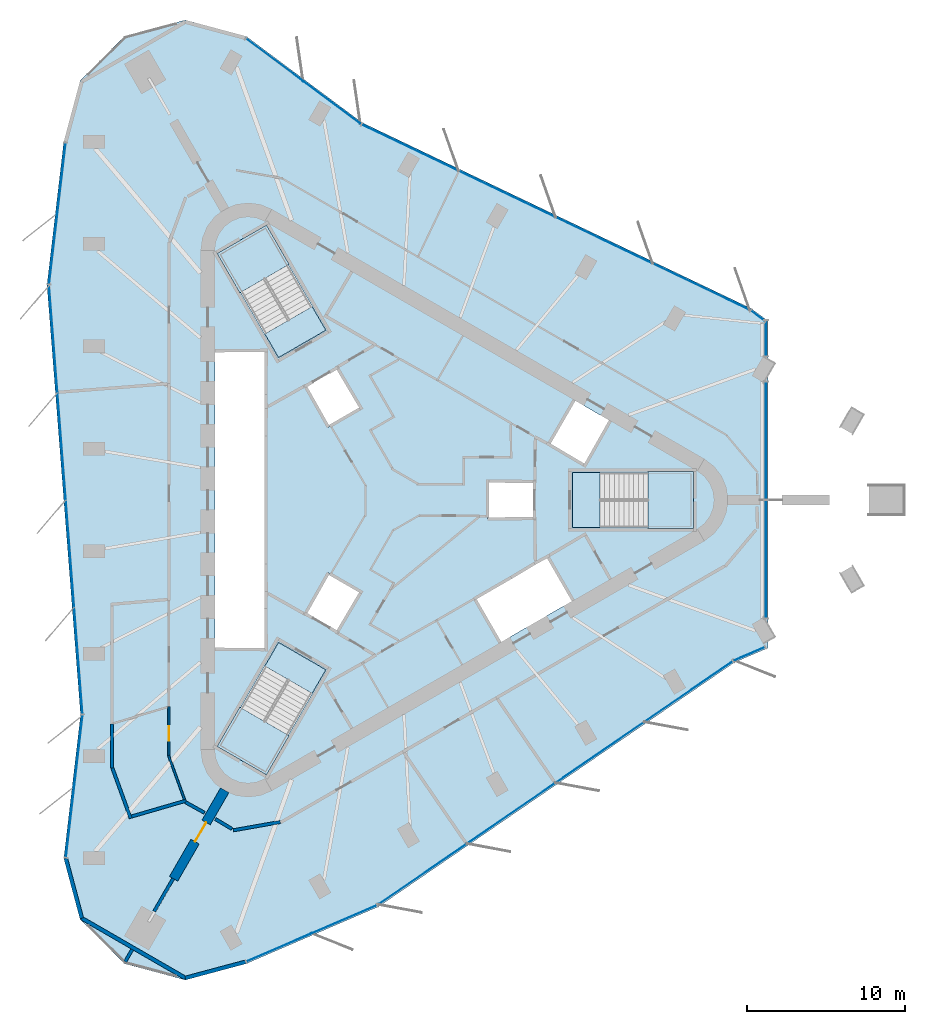
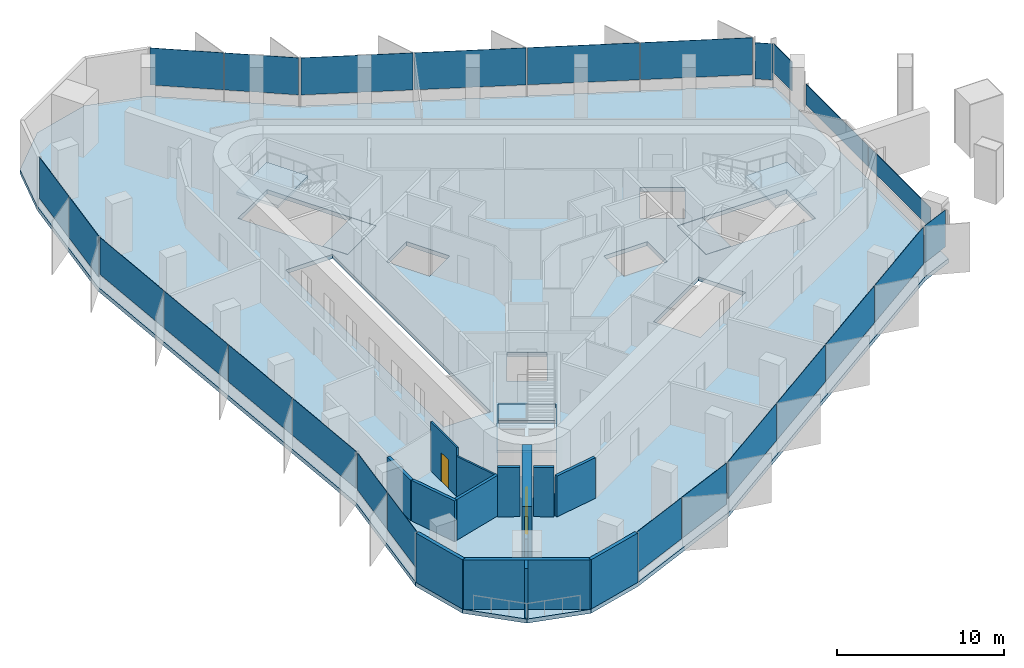
# One storey, part 6 of 12: 25 plates, 14 walls, 7 slabs, 2 doors, 2 openings, 14 elements without a shape of their own.
"""IFC4 building model written with IfcOpenShell, lengths in metres."""

from ifc_helpers import new_model, si_unit, direction, frame, frame_2d, origin, origin_2d, place, context, subcontext, project, spatial, polyline, rectangle, outline, extrude, material, layer, layer_set, type_object, element, fill, aggregate, save


model = new_model("IFC4")

# Units and contexts
model_context = context("Model", 3, precision=1e-05, world=origin(), true_north=direction((0.0, 1.0)))
body_context = subcontext(model_context, "Body", "Model", "MODEL_VIEW")
ifc_project = project(units=[si_unit("LENGTHUNIT", "METRE"), si_unit("AREAUNIT", "SQUARE_METRE"), si_unit("VOLUMEUNIT", "CUBIC_METRE"), si_unit("PLANEANGLEUNIT", "RADIAN"), si_unit("MASSUNIT", "GRAM", prefix="KILO")], contexts=[model_context])

# Site, building, storey
site_placement = place(None, origin())
site = spatial("IfcSite", under=ifc_project, at=site_placement, CompositionType="ELEMENT")
building_placement = place(site_placement, origin())
building = spatial("IfcBuilding", under=site, at=building_placement, Name="Tanit Gate Tower", CompositionType="ELEMENT")
storey_placement = place(building_placement, frame((0.0, 0.0, 380.60009765625)))
storey = spatial("IfcBuildingStorey", under=building, at=storey_placement, Name="L87", CompositionType="ELEMENT", Elevation=380.60009765625)

# Slab
ifc_material_1 = material(Name="Concrete C35/45", Category="concrete")
ifc_layer_1 = layer(ifc_material_1, 0.300048828125)
ifc_layer_set_1 = layer_set([ifc_layer_1], Name="FLOOR SLAB 300 C35/45")
slab_type_1 = type_object("IfcSlabType", Name="FLOOR SLAB 300 C35/45", PredefinedType="FLOOR", material=ifc_layer_set_1)
slab_1_placement = place(storey_placement, frame((0.0, 0.0, -0.300048828125)))
element("IfcSlab", 1, at=slab_1_placement, inside=storey, type_object=slab_type_1, Name="FLOOR SLAB L87", PredefinedType="FLOOR", context=body_context, shape_type="SweptSolid", body=[
    extrude(outline(polyline([(21.5927734375, -10.251220703125), (-0.858642578125, -25.6611328125), (-9.2255859375, -29.26806640625), (-13.061767578125, -30.2958984375), (-16.89794921875, -29.26806640625), (-19.7060546875, -26.459716796875), (-20.73388671875, -22.62353515625), (-19.67431640625, -13.57421875), (-21.793701171875, 13.57421875), (-20.73388671875, 22.62353515625), (-19.7060546875, 26.459716796875), (-16.89794921875, 29.26806640625), (-13.061767578125, 30.2958984375), (-9.2255859375, 29.26806640625), (-1.91845703125, 23.825439453125), (22.652587890625, 12.0869140625), (23.699951171875, 11.306640625), (23.699951171875, -9.3427734375), (29.959716796875, -6.644287109375), (21.5927734375, -10.251220703125)]), holes=[polyline([(11.3701171875, 1.72998046875), (18.929931640625, 1.72998046875), (18.929931640625, -1.72998046875), (11.3701171875, -1.72998046875), (11.3701171875, 1.72998046875)]), polyline([(12.158935546875, 2.159912109375), (9.82080078125, 3.510009765625), (11.44580078125, 6.324462890625), (13.783935546875, 4.974609375), (12.158935546875, 2.159912109375)]), polyline([(11.44580078125, -6.324462890625), (6.76904296875, -9.0244140625), (5.14404296875, -6.2099609375), (9.82080078125, -3.510009765625), (11.44580078125, -6.324462890625)]), polyline([(6.0, 1.199951171875), (9.0, 1.199951171875), (9.0, -1.199951171875), (6.0, -1.199951171875), (6.0, 1.199951171875)]), polyline([(-4.039306640625, 4.59619140625), (-5.539306640625, 7.194091796875), (-3.460693359375, 8.394287109375), (-1.960693359375, 5.796142578125), (-4.039306640625, 4.59619140625)]), polyline([(-1.960693359375, -5.796142578125), (-3.460693359375, -8.394287109375), (-5.539306640625, -7.194091796875), (-4.039306640625, -4.59619140625), (-1.960693359375, -5.796142578125)]), polyline([(-7.18310546875, 8.981689453125), (-10.963134765625, 15.52880859375), (-7.966796875, 17.2587890625), (-4.186767578125, 10.711669921875), (-7.18310546875, 8.981689453125)]), polyline([(-4.186767578125, -10.711669921875), (-7.966796875, -17.2587890625), (-10.963134765625, -15.52880859375), (-7.18310546875, -8.981689453125), (-4.186767578125, -10.711669921875)]), polyline([(-11.199951171875, -9.449951171875), (-11.199951171875, 9.449951171875), (-7.949951171875, 9.449951171875), (-7.949951171875, -9.449951171875), (-11.199951171875, -9.449951171875)])]), origin(), (0.0, 0.0, 1.0), 0.300048828125),
])

# Curtain wall, plate
ifc_material_2 = material(Name="Aluminium bronze anodised and glass", Category="aluminium")
curtain_wall_type_1 = type_object("IfcCurtainWallType", Name="Curtain wall typical high", PredefinedType="NOTDEFINED", material=ifc_material_2)
curtain_wall_1_placement = place(storey_placement, origin())
curtain_wall_1 = element("IfcCurtainWall", 2, at=curtain_wall_1_placement, inside=storey, type_object=curtain_wall_type_1, Name="Curtain wall L87 NE1c", PredefinedType="NOTDEFINED")
ifc_material_3 = material(Name="Glass tinted", Category="glass")
ifc_layer_2 = layer(ifc_material_3, 0.028076171875)
ifc_layer_set_2 = layer_set([ifc_layer_2], Name="Glass panel 28 typical high")
plate_type_1 = type_object("IfcPlateType", Name="Glass panel 28 typical high", PredefinedType="CURTAIN_PANEL", material=ifc_layer_set_2)
plate_1_placement = place(storey_placement, frame((23.08544921875, 11.61474609375, 0.60009765625), z_axis=(0.0, 0.0, 1.0), x_axis=(-0.801987717098, 0.59734052401, 0.0)))
plate_1 = element("IfcPlate", 3, at=plate_1_placement, type_object=plate_type_1, Name="Glass panel L87 NE1c.1", PredefinedType="CURTAIN_PANEL", context=body_context, shape_type="SweptSolid", body=[
    extrude(rectangle(XDim=1.07470703125, YDim=0.028076171875, at=origin_2d()), origin(), (0.0, 0.0, 1.0), 2.639892578125),
])
aggregate(curtain_wall_1, [plate_1])

# Curtain wall, plates
curtain_wall_2_placement = place(storey_placement, origin())
curtain_wall_2 = element("IfcCurtainWall", 4, at=curtain_wall_2_placement, inside=storey, type_object=curtain_wall_type_1, Name="Curtain wall L87 NE2", PredefinedType="NOTDEFINED")
plate_2_placement = place(storey_placement, frame((19.49169921875, 13.4638671875, 0.89990234375), z_axis=(0.0, 0.0, 1.0), x_axis=(-0.902317145415, 0.431072811819, 0.0)))
plate_2 = element("IfcPlate", 5, at=plate_2_placement, type_object=plate_type_1, Name="Glass panel L87 NE2.1", PredefinedType="CURTAIN_PANEL", context=body_context, shape_type="SweptSolid", body=[
    extrude(rectangle(XDim=6.707763671875, YDim=0.028076171875, at=origin_2d()), origin(), (0.0, 0.0, 1.0), 2.699951171875),
])
plate_3_placement = place(storey_placement, frame((13.3671875, 16.389892578125, 0.89990234375), z_axis=(0.0, 0.0, 1.0), x_axis=(-0.902317145415, 0.431072811819, 0.0)))
plate_3 = element("IfcPlate", 6, at=plate_3_placement, type_object=plate_type_1, Name="Glass panel L87 NE2.2", PredefinedType="CURTAIN_PANEL", context=body_context, shape_type="SweptSolid", body=[
    extrude(rectangle(XDim=6.707763671875, YDim=0.028076171875, at=origin_2d()), origin(), (0.0, 0.0, 1.0), 2.699951171875),
])
plate_4_placement = place(storey_placement, frame((7.242431640625, 19.31591796875, 0.89990234375), z_axis=(0.0, 0.0, 1.0), x_axis=(-0.902317145415, 0.431072811819, 0.0)))
plate_4 = element("IfcPlate", 7, at=plate_4_placement, type_object=plate_type_1, Name="Glass panel L87 NE2.3", PredefinedType="CURTAIN_PANEL", context=body_context, shape_type="SweptSolid", body=[
    extrude(rectangle(XDim=6.707763671875, YDim=0.028076171875, at=origin_2d()), origin(), (0.0, 0.0, 1.0), 2.699951171875),
])
plate_5_placement = place(storey_placement, frame((1.11767578125, 22.241943359375, 0.89990234375), z_axis=(0.0, 0.0, 1.0), x_axis=(-0.902317145415, 0.431072811819, 0.0)))
plate_5 = element("IfcPlate", 8, at=plate_5_placement, type_object=plate_type_1, Name="Glass panel L87 NE2.4", PredefinedType="CURTAIN_PANEL", context=body_context, shape_type="SweptSolid", body=[
    extrude(rectangle(XDim=6.707763671875, YDim=0.028076171875, at=origin_2d()), origin(), (0.0, 0.0, 1.0), 2.699951171875),
])
aggregate(curtain_wall_2, [plate_2, plate_3, plate_4, plate_5])

curtain_wall_3_placement = place(storey_placement, origin())
curtain_wall_3 = element("IfcCurtainWall", 9, at=curtain_wall_3_placement, inside=storey, type_object=curtain_wall_type_1, Name="Curtain wall L87 NE3", PredefinedType="NOTDEFINED")
plate_6_placement = place(storey_placement, frame((-3.8212890625, 25.093017578125, 0.89990234375), z_axis=(0.0, 0.0, 1.0), x_axis=(-0.801987717098, 0.59734052401, 0.0)))
plate_6 = element("IfcPlate", 10, at=plate_6_placement, type_object=plate_type_1, Name="Glass panel L87 NE3.1", PredefinedType="CURTAIN_PANEL", context=body_context, shape_type="SweptSolid", body=[
    extrude(rectangle(XDim=4.429931640625, YDim=0.028076171875, at=origin_2d()), origin(), (0.0, 0.0, 1.0), 2.699951171875),
])
plate_7_placement = place(storey_placement, frame((-7.438232421875, 27.787109375, 0.89990234375), z_axis=(0.0, 0.0, 1.0), x_axis=(-0.801987717098, 0.59734052401, 0.0)))
plate_7 = element("IfcPlate", 11, at=plate_7_placement, type_object=plate_type_1, Name="Glass panel L87 NE3.2", PredefinedType="CURTAIN_PANEL", context=body_context, shape_type="SweptSolid", body=[
    extrude(rectangle(XDim=4.429931640625, YDim=0.028076171875, at=origin_2d()), origin(), (0.0, 0.0, 1.0), 2.699951171875),
])
aggregate(curtain_wall_3, [plate_6, plate_7])

curtain_wall_4_placement = place(storey_placement, origin())
curtain_wall_4 = element("IfcCurtainWall", 12, at=curtain_wall_4_placement, inside=storey, type_object=curtain_wall_type_1, Name="Curtain wall L87 W1", PredefinedType="NOTDEFINED")
plate_8_placement = place(storey_placement, frame((-20.882568359375, 20.323974609375, 0.599853515625), z_axis=(0.0, 0.0, 1.0), x_axis=(-0.116318209953, -0.993211998535, 0.0)))
plate_8 = element("IfcPlate", 13, at=plate_8_placement, type_object=plate_type_1, Name="Glass panel L87 W1.1", PredefinedType="CURTAIN_PANEL", context=body_context, shape_type="SweptSolid", body=[
    extrude(rectangle(XDim=4.42529296875, YDim=0.028076171875, at=origin_2d()), origin(), (0.0, 0.0, 1.0), 3.0),
])
plate_9_placement = place(storey_placement, frame((-21.406494140625, 15.84912109375, 0.599853515625), z_axis=(0.0, 0.0, 1.0), x_axis=(-0.116318209953, -0.993211998535, 0.0)))
plate_9 = element("IfcPlate", 14, at=plate_9_placement, type_object=plate_type_1, Name="Glass panel L87 W1.2", PredefinedType="CURTAIN_PANEL", context=body_context, shape_type="SweptSolid", body=[
    extrude(rectangle(XDim=4.425537109375, YDim=0.028076171875, at=origin_2d()), origin(), (0.0, 0.0, 1.0), 3.0),
])
aggregate(curtain_wall_4, [plate_8, plate_9])

curtain_wall_5_placement = place(storey_placement, origin())
curtain_wall_5 = element("IfcCurtainWall", 15, at=curtain_wall_5_placement, inside=storey, type_object=curtain_wall_type_1, Name="Curtain wall L87 W2", PredefinedType="NOTDEFINED")
plate_10_placement = place(storey_placement, frame((-21.406005859375, 10.1484375, 0.89990234375), z_axis=(0.0, 0.0, 1.0), x_axis=(0.077838566791, -0.996965976109, 0.0)))
plate_10 = element("IfcPlate", 16, at=plate_10_placement, type_object=plate_type_1, Name="Glass panel L87 W2.1", PredefinedType="CURTAIN_PANEL", context=body_context, shape_type="SweptSolid", body=[
    extrude(rectangle(XDim=6.707763671875, YDim=0.028076171875, at=origin_2d()), origin(), (0.0, 0.0, 1.0), 2.699951171875),
])
plate_11_placement = place(storey_placement, frame((-20.877685546875, 3.38134765625, 0.89990234375), z_axis=(0.0, 0.0, 1.0), x_axis=(0.077838566791, -0.996965976109, 0.0)))
plate_11 = element("IfcPlate", 17, at=plate_11_placement, type_object=plate_type_1, Name="Glass panel L87 W2.2", PredefinedType="CURTAIN_PANEL", context=body_context, shape_type="SweptSolid", body=[
    extrude(rectangle(XDim=6.707763671875, YDim=0.028076171875, at=origin_2d()), origin(), (0.0, 0.0, 1.0), 2.699951171875),
])
plate_12_placement = place(storey_placement, frame((-20.349365234375, -3.385986328125, 0.89990234375), z_axis=(0.0, 0.0, 1.0), x_axis=(0.077838566791, -0.996965976109, 0.0)))
plate_12 = element("IfcPlate", 18, at=plate_12_placement, type_object=plate_type_1, Name="Glass panel L87 W2.3", PredefinedType="CURTAIN_PANEL", context=body_context, shape_type="SweptSolid", body=[
    extrude(rectangle(XDim=6.707763671875, YDim=0.028076171875, at=origin_2d()), origin(), (0.0, 0.0, 1.0), 2.699951171875),
])
plate_13_placement = place(storey_placement, frame((-19.82080078125, -10.153076171875, 0.89990234375), z_axis=(0.0, 0.0, 1.0), x_axis=(0.077838566791, -0.996965976109, 0.0)))
plate_13 = element("IfcPlate", 19, at=plate_13_placement, type_object=plate_type_1, Name="Glass panel L87 W2.4", PredefinedType="CURTAIN_PANEL", context=body_context, shape_type="SweptSolid", body=[
    extrude(rectangle(XDim=6.707763671875, YDim=0.028076171875, at=origin_2d()), origin(), (0.0, 0.0, 1.0), 2.699951171875),
])
aggregate(curtain_wall_5, [plate_10, plate_11, plate_12, plate_13])

curtain_wall_6_placement = place(storey_placement, origin())
curtain_wall_6 = element("IfcCurtainWall", 20, at=curtain_wall_6_placement, inside=storey, type_object=curtain_wall_type_1, Name="Curtain wall L87 W3", PredefinedType="NOTDEFINED")
plate_14_placement = place(storey_placement, frame((-19.820556640625, -15.85595703125, 0.89990234375), z_axis=(0.0, 0.0, 1.0), x_axis=(-0.116318209953, -0.993211998535, 0.0)))
plate_14 = element("IfcPlate", 21, at=plate_14_placement, type_object=plate_type_1, Name="Glass panel L87 W3.1", PredefinedType="CURTAIN_PANEL", context=body_context, shape_type="SweptSolid", body=[
    extrude(rectangle(XDim=4.429931640625, YDim=0.028076171875, at=origin_2d()), origin(), (0.0, 0.0, 1.0), 2.699951171875),
])
plate_15_placement = place(storey_placement, frame((-20.34521484375, -20.335205078125, 0.89990234375), z_axis=(0.0, 0.0, 1.0), x_axis=(-0.116318209953, -0.993211998535, 0.0)))
plate_15 = element("IfcPlate", 22, at=plate_15_placement, type_object=plate_type_1, Name="Glass panel L87 W3.2", PredefinedType="CURTAIN_PANEL", context=body_context, shape_type="SweptSolid", body=[
    extrude(rectangle(XDim=4.429931640625, YDim=0.028076171875, at=origin_2d()), origin(), (0.0, 0.0, 1.0), 2.699951171875),
])
aggregate(curtain_wall_6, [plate_14, plate_15])

curtain_wall_7_placement = place(storey_placement, origin())
curtain_wall_7 = element("IfcCurtainWall", 23, at=curtain_wall_7_placement, inside=storey, type_object=curtain_wall_type_1, Name="Curtain wall L87 SE1", PredefinedType="NOTDEFINED")
plate_16_placement = place(storey_placement, frame((-7.15966796875, -28.246826171875, 0.599853515625), z_axis=(0.0, 0.0, 1.0), x_axis=(0.918305927051, 0.395871474525, 0.0)))
plate_16 = element("IfcPlate", 24, at=plate_16_placement, type_object=plate_type_1, Name="Glass panel L87 SE1.1", PredefinedType="CURTAIN_PANEL", context=body_context, shape_type="SweptSolid", body=[
    extrude(rectangle(XDim=4.42529296875, YDim=0.028076171875, at=origin_2d()), origin(), (0.0, 0.0, 1.0), 3.0),
])
plate_17_placement = place(storey_placement, frame((-3.0224609375, -26.463134765625, 0.599853515625), z_axis=(0.0, 0.0, 1.0), x_axis=(0.918305927051, 0.395871474525, 0.0)))
plate_17 = element("IfcPlate", 25, at=plate_17_placement, type_object=plate_type_1, Name="Glass panel L87 SE1.2", PredefinedType="CURTAIN_PANEL", context=body_context, shape_type="SweptSolid", body=[
    extrude(rectangle(XDim=4.425537109375, YDim=0.028076171875, at=origin_2d()), origin(), (0.0, 0.0, 1.0), 3.0),
])
aggregate(curtain_wall_7, [plate_16, plate_17])

curtain_wall_8_placement = place(storey_placement, origin())
curtain_wall_8 = element("IfcCurtainWall", 26, at=curtain_wall_8_placement, inside=storey, type_object=curtain_wall_type_1, Name="Curtain wall L87 SE2", PredefinedType="NOTDEFINED")
plate_18_placement = place(storey_placement, frame((1.914306640625, -23.6123046875, 0.89990234375), z_axis=(0.0, 0.0, 1.0), x_axis=(0.824478578624, 0.56589316429, 0.0)))
plate_18 = element("IfcPlate", 27, at=plate_18_placement, type_object=plate_type_1, Name="Glass panel L87 SE2.1", PredefinedType="CURTAIN_PANEL", context=body_context, shape_type="SweptSolid", body=[
    extrude(rectangle(XDim=6.707763671875, YDim=0.028076171875, at=origin_2d()), origin(), (0.0, 0.0, 1.0), 2.699951171875),
])
plate_19_placement = place(storey_placement, frame((7.510498046875, -19.771240234375, 0.89990234375), z_axis=(0.0, 0.0, 1.0), x_axis=(0.824478578624, 0.56589316429, 0.0)))
plate_19 = element("IfcPlate", 28, at=plate_19_placement, type_object=plate_type_1, Name="Glass panel L87 SE2.2", PredefinedType="CURTAIN_PANEL", context=body_context, shape_type="SweptSolid", body=[
    extrude(rectangle(XDim=6.707763671875, YDim=0.028076171875, at=origin_2d()), origin(), (0.0, 0.0, 1.0), 2.699951171875),
])
plate_20_placement = place(storey_placement, frame((13.10693359375, -15.929931640625, 0.89990234375), z_axis=(0.0, 0.0, 1.0), x_axis=(0.824478578624, 0.56589316429, 0.0)))
plate_20 = element("IfcPlate", 29, at=plate_20_placement, type_object=plate_type_1, Name="Glass panel L87 SE2.3", PredefinedType="CURTAIN_PANEL", context=body_context, shape_type="SweptSolid", body=[
    extrude(rectangle(XDim=6.707763671875, YDim=0.028076171875, at=origin_2d()), origin(), (0.0, 0.0, 1.0), 2.699951171875),
])
plate_21_placement = place(storey_placement, frame((18.703369140625, -12.0888671875, 0.89990234375), z_axis=(0.0, 0.0, 1.0), x_axis=(0.824478578624, 0.56589316429, 0.0)))
plate_21 = element("IfcPlate", 30, at=plate_21_placement, type_object=plate_type_1, Name="Glass panel L87 SE2.4", PredefinedType="CURTAIN_PANEL", context=body_context, shape_type="SweptSolid", body=[
    extrude(rectangle(XDim=6.707763671875, YDim=0.028076171875, at=origin_2d()), origin(), (0.0, 0.0, 1.0), 2.699951171875),
])
aggregate(curtain_wall_8, [plate_18, plate_19, plate_20, plate_21])

# Curtain wall, plate
curtain_wall_9_placement = place(storey_placement, origin())
curtain_wall_9 = element("IfcCurtainWall", 31, at=curtain_wall_9_placement, inside=storey, type_object=curtain_wall_type_1, Name="Curtain wall L87 SE3c", PredefinedType="NOTDEFINED")
plate_22_placement = place(storey_placement, frame((22.557373046875, -9.70458984375, 0.89990234375), z_axis=(0.0, 0.0, 1.0), x_axis=(0.918305927051, 0.395871474525, 0.0)))
plate_22 = element("IfcPlate", 32, at=plate_22_placement, type_object=plate_type_1, Name="Glass panel L87 SE3c.1", PredefinedType="CURTAIN_PANEL", context=body_context, shape_type="SweptSolid", body=[
    extrude(rectangle(XDim=2.068115234375, YDim=0.028076171875, at=origin_2d()), origin(), (0.0, 0.0, 1.0), 2.699951171875),
])
aggregate(curtain_wall_9, [plate_22])

ifc_material_4 = material(Name="Aluminium bronze anodised and glass", Category="aluminium")
curtain_wall_type_2 = type_object("IfcCurtainWallType", Name="Curtain wall portal glazing", PredefinedType="NOTDEFINED", material=ifc_material_4)
curtain_wall_10_placement = place(storey_placement, origin())
curtain_wall_10 = element("IfcCurtainWall", 33, at=curtain_wall_10_placement, inside=storey, type_object=curtain_wall_type_2, Name="Curtain wall L87 NOTCH1", PredefinedType="NOTDEFINED")
ifc_material_5 = material(Name="Glass tinted laminated safety", Category="glass")
ifc_layer_3 = layer(ifc_material_5, 0.0439453125)
ifc_layer_set_3 = layer_set([ifc_layer_3], Name="Glass panel 44 portal glazing")
plate_type_2 = type_object("IfcPlateType", Name="Glass panel 44 portal glazing", PredefinedType="CURTAIN_PANEL", material=ifc_layer_set_3)
plate_23_placement = place(storey_placement, frame((23.580078125, 10.21484375, 1.099609375), z_axis=(0.0, 0.0, 1.0), x_axis=(0.0, -1.0, 0.0)))
plate_23 = element("IfcPlate", 34, at=plate_23_placement, type_object=plate_type_2, Name="Glass panel L87 NOTCH1.1", PredefinedType="CURTAIN_PANEL", context=body_context, shape_type="SweptSolid", body=[
    extrude(rectangle(XDim=2.201171875, YDim=0.0439453125, at=origin_2d()), origin(), (0.0, 0.0, 1.0), 2.110107421875),
])
aggregate(curtain_wall_10, [plate_23])

# Curtain wall, plates
curtain_wall_11_placement = place(storey_placement, origin())
curtain_wall_11 = element("IfcCurtainWall", 35, at=curtain_wall_11_placement, inside=storey, type_object=curtain_wall_type_2, Name="Curtain wall L87 NOTCH2", PredefinedType="NOTDEFINED")
plate_24_placement = place(storey_placement, frame((23.580078125, 3.736083984375, 1.10009765625), z_axis=(0.0, 0.0, 1.0), x_axis=(0.0, -1.0, 0.0)))
plate_24 = element("IfcPlate", 36, at=plate_24_placement, type_object=plate_type_2, Name="Glass panel L87 NOTCH2.1", PredefinedType="CURTAIN_PANEL", context=body_context, shape_type="SweptSolid", body=[
    extrude(rectangle(XDim=7.392333984375, YDim=0.0439453125, at=origin_2d()), origin(), (0.0, 0.0, 1.0), 1.510009765625),
])
plate_25_placement = place(storey_placement, frame((23.580078125, -3.736083984375, 1.10009765625), z_axis=(0.0, 0.0, 1.0), x_axis=(0.0, -1.0, 0.0)))
plate_25 = element("IfcPlate", 37, at=plate_25_placement, type_object=plate_type_2, Name="Glass panel L87 NOTCH2.2", PredefinedType="CURTAIN_PANEL", context=body_context, shape_type="SweptSolid", body=[
    extrude(rectangle(XDim=7.392333984375, YDim=0.0439453125, at=origin_2d()), origin(), (0.0, 0.0, 1.0), 1.510009765625),
])
aggregate(curtain_wall_11, [plate_24, plate_25])

# Stair, slab
ifc_material_6 = material(Name="Concrete C40/50", Category="concrete")
stair_type = type_object("IfcStairType", Name="INT-STAIR-EXIT", PredefinedType="HALF_TURN_STAIR", material=ifc_material_6)
stair_1_placement = place(storey_placement, origin())
stair_1 = element("IfcStair", 38, at=stair_1_placement, inside=storey, type_object=stair_type, Name="L87 STAIR S1", PredefinedType="HALF_TURN_STAIR")
ifc_material_7 = material(Name="Concrete C40/50", Category="concrete")
ifc_layer_4 = layer(ifc_material_7, 0.199951171875)
ifc_layer_set_4 = layer_set([ifc_layer_4], Name="INT-STAIR-LANDING")
slab_type_2 = type_object("IfcSlabType", Name="INT-STAIR-LANDING", PredefinedType="LANDING", material=ifc_layer_set_4)
slab_2_placement = place(storey_placement, frame((0.0, 0.0, 1.75)))
slab_2 = element("IfcSlab", 39, at=slab_2_placement, type_object=slab_type_2, Name="S1 landing 1", PredefinedType="LANDING", context=body_context, shape_type="SweptSolid", body=[
    extrude(outline(polyline([(16.135986328125, -1.800048828125), (19.0, -1.800048828125), (19.0, 1.800048828125), (16.135986328125, 1.800048828125), (16.135986328125, -1.800048828125)])), origin(), (0.0, 0.0, 1.0), 0.199951171875),
])
aggregate(stair_1, [slab_2])

# Slab
slab_3_placement = place(storey_placement, frame((0.0, 0.0, -0.2001953125)))
element("IfcSlab", 40, at=slab_3_placement, inside=storey, type_object=slab_type_2, Name="S1 floor landing", PredefinedType="LANDING", context=body_context, shape_type="SweptSolid", body=[
    extrude(outline(polyline([(11.3798828125, -1.719970703125), (13.10498046875, -1.719970703125), (13.10498046875, 1.719970703125), (11.3798828125, 1.719970703125), (11.3798828125, -1.719970703125)])), origin(), (0.0, 0.0, 1.0), 0.2001953125),
])

# Stair, slab
stair_2_placement = place(storey_placement, origin())
stair_2 = element("IfcStair", 41, at=stair_2_placement, inside=storey, type_object=stair_type, Name="L87 STAIR S2", PredefinedType="HALF_TURN_STAIR")
slab_4_placement = place(storey_placement, frame((0.0, 0.0, 1.75)))
slab_4 = element("IfcSlab", 42, at=slab_4_placement, type_object=slab_type_2, Name="S2 landing 1", PredefinedType="LANDING", context=body_context, shape_type="SweptSolid", body=[
    extrude(outline(polyline([(-6.5078125, 14.871826171875), (-7.941162109375, 17.3544921875), (-11.058837890625, 15.554443359375), (-9.62548828125, 13.07177734375), (-6.5078125, 14.871826171875)])), origin(), (0.0, 0.0, 1.0), 0.199951171875),
])
aggregate(stair_2, [slab_4])

# Slab
slab_5_placement = place(storey_placement, frame((0.0, 0.0, -0.2001953125)))
element("IfcSlab", 43, at=slab_5_placement, inside=storey, type_object=slab_type_2, Name="S2 floor landing", PredefinedType="LANDING", context=body_context, shape_type="SweptSolid", body=[
    extrude(outline(polyline([(-4.200439453125, 10.71533203125), (-5.0625, 12.20849609375), (-8.04150390625, 10.48828125), (-7.179443359375, 8.995361328125), (-4.200439453125, 10.71533203125)])), origin(), (0.0, 0.0, 1.0), 0.2001953125),
])

# Stair, slab
stair_3_placement = place(storey_placement, origin())
stair_3 = element("IfcStair", 44, at=stair_3_placement, inside=storey, type_object=stair_type, Name="L87 STAIR S3", PredefinedType="HALF_TURN_STAIR")
slab_6_placement = place(storey_placement, frame((0.0, 0.0, 1.75)))
slab_6 = element("IfcSlab", 45, at=slab_6_placement, type_object=slab_type_2, Name="S3 landing 1", PredefinedType="LANDING", context=body_context, shape_type="SweptSolid", body=[
    extrude(outline(polyline([(-9.626953125, -13.07421875), (-11.058837890625, -15.554443359375), (-7.941162109375, -17.3544921875), (-6.509033203125, -14.874267578125), (-9.626953125, -13.07421875)])), origin(), (0.0, 0.0, 1.0), 0.199951171875),
])
aggregate(stair_3, [slab_6])

# Slab
slab_7_placement = place(storey_placement, frame((0.0, 0.0, -0.2001953125)))
element("IfcSlab", 46, at=slab_7_placement, inside=storey, type_object=slab_type_2, Name="S3 floor landing", PredefinedType="LANDING", context=body_context, shape_type="SweptSolid", body=[
    extrude(outline(polyline([(-7.179443359375, -8.995361328125), (-8.0419921875, -10.4892578125), (-5.06298828125, -12.209228515625), (-4.200439453125, -10.71533203125), (-7.179443359375, -8.995361328125)])), origin(), (0.0, 0.0, 1.0), 0.2001953125),
])

# Wall, opening, door
ifc_material_8 = material(Name="Concrete C40/50", Category="concrete")
ifc_layer_5 = layer(ifc_material_8, 0.60009765625)
ifc_layer_set_5 = layer_set([ifc_layer_5], Name="BUTTRESS FIN 600 C40/50")
wall_type_1 = type_object("IfcWallType", Name="BUTTRESS FIN 600 C40/50", PredefinedType="SHEAR", material=ifc_layer_set_5)
wall_1_placement = place(storey_placement, frame((-10.574951171875, -18.31640625, 0.0), z_axis=(0.0, 0.0, 1.0), x_axis=(-0.500011655475, -0.866018674388, 0.0)))
wall_1 = element("IfcWall", 47, at=wall_1_placement, inside=storey, type_object=wall_type_1, Name="BUTTRESS FIN", PredefinedType="SHEAR", context=body_context, shape_type="SweptSolid", body=[
    extrude(rectangle(XDim=6.454833984375, YDim=0.60009765625, at=frame_2d((3.2275390625, 0.0))), origin(), (0.0, 0.0, 1.0), 3.89990234375),
])
opening_1_placement = place(wall_1_placement, frame((2.35009765625, 0.0, 0.0)))
opening_1 = element("IfcOpeningElement", 48, at=opening_1_placement, cuts=wall_1, Name="Opening P14-87-F-SW-1", PredefinedType="OPENING", context=body_context, shape_type="SweptSolid", body=[
    extrude(rectangle(XDim=1.39990234375, YDim=2.39990234375, at=frame_2d((0.699951171875, 1.199951171875))), frame((0.0, 0.31005859375, 0.0), z_axis=(0.0, -1.0, 0.0), x_axis=(1.0, 0.0, 0.0)), (0.0, 0.0, 1.0), 0.6201171875),
])
ifc_material_9 = material(Name="Timber door leaf", Category="wood")
door_type_1 = type_object("IfcDoorType", Name="INT-DOOR-FIN-PAIR-1400", OperationType="NOTDEFINED", PredefinedType="NOTDEFINED", material=ifc_material_9)
door_1_placement = place(opening_1_placement, origin())
door_1 = element("IfcDoor", 49, at=door_1_placement, inside=storey, type_object=door_type_1, Name="Door P14-87-F-SW-1", OperationType="DOUBLE_DOOR_SINGLE_SWING", OverallHeight=2.39990234375, OverallWidth=1.39990234375, PredefinedType="NOTDEFINED", context=body_context, shape_type="SweptSolid", body=[
    extrude(rectangle(XDim=1.39990234375, YDim=2.39990234375, at=frame_2d((0.699951171875, 1.199951171875))), frame((0.0, 0.02490234375, 0.0), z_axis=(0.0, -1.0, 0.0), x_axis=(1.0, 0.0, 0.0)), (0.0, 0.0, 1.0), 0.050048828125),
])
fill(opening_1, door_1)

# Walls
ifc_material_10 = material(Name="Concrete C30/37 with bronze anodised aluminium cladding", Category="concrete")
ifc_layer_6 = layer(ifc_material_10, 0.239990234375)
ifc_layer_set_6 = layer_set([ifc_layer_6], Name="Facade wall bronze clad 240")
wall_type_2 = type_object("IfcWallType", Name="Facade wall bronze clad 240", PredefinedType="SOLIDWALL", material=ifc_layer_set_6)
wall_2_placement = place(storey_placement, frame((-20.612060546875, -22.61474609375, 0.0), z_axis=(0.0, 0.0, 1.0), x_axis=(0.258826446974, -0.965923842933, 0.0)))
element("IfcWall", 50, at=wall_2_placement, inside=storey, type_object=wall_type_2, Name="Bronze-clad facade wall L87 SW.arc1", PredefinedType="SOLIDWALL", context=body_context, shape_type="SweptSolid", body=[
    extrude(rectangle(XDim=3.91650390625, YDim=0.239990234375, at=frame_2d((1.958251953125, 0.0))), origin(), (0.0, 0.0, 1.0), 3.599853515625),
])
wall_3_placement = place(storey_placement, frame((-19.598388671875, -26.397705078125, 0.0), z_axis=(0.0, 0.0, 1.0), x_axis=(0.86602506914, -0.500000579621, 0.0)))
element("IfcWall", 51, at=wall_3_placement, inside=storey, type_object=wall_type_2, Name="Bronze-clad facade wall L87 SW.arc2", PredefinedType="SOLIDWALL", context=body_context, shape_type="SweptSolid", body=[
    extrude(rectangle(XDim=7.5478515625, YDim=0.239990234375, at=frame_2d((3.77392578125, 0.0))), origin(), (0.0, 0.0, 1.0), 3.599853515625),
])
wall_4_placement = place(storey_placement, frame((-13.061767578125, -30.171630859375, 0.0), z_axis=(0.0, 0.0, 1.0), x_axis=(0.965923930123, 0.258826121588, 0.0)))
element("IfcWall", 52, at=wall_4_placement, inside=storey, type_object=wall_type_2, Name="Bronze-clad facade wall L87 SW.arc3", PredefinedType="SOLIDWALL", context=body_context, shape_type="SweptSolid", body=[
    extrude(rectangle(XDim=3.9306640625, YDim=0.239990234375, at=frame_2d((1.96533203125, 0.0))), origin(), (0.0, 0.0, 1.0), 3.599853515625),
])
ifc_material_11 = material(Name="Fire-rated gypsum board partition")
ifc_layer_7 = layer(ifc_material_11, 0.199951171875)
ifc_layer_set_7 = layer_set([ifc_layer_7], Name="INT-WALL-COMPARTMENT")
wall_type_3 = type_object("IfcWallType", Name="INT-WALL-COMPARTMENT", PredefinedType="PARTITIONING", material=ifc_layer_set_7)
wall_5_placement = place(storey_placement, frame((-13.05078125, -19.07666015625, 0.0), z_axis=(0.0, 0.0, 1.0), x_axis=(0.87441884207, -0.485171813519, 0.0)))
element("IfcWall", 53, at=wall_5_placement, inside=storey, type_object=wall_type_3, Name="Wall Compartment W096", PredefinedType="PARTITIONING", context=body_context, shape_type="SweptSolid", body=[
    extrude(rectangle(XDim=1.3642578125, YDim=0.199951171875, at=frame_2d((0.68212890625, 0.0))), origin(), (0.0, 0.0, 1.0), 3.599853515625),
])
wall_6_placement = place(storey_placement, frame((-17.699951171875, -16.928466796875, 0.0), z_axis=(0.0, 0.0, 1.0), x_axis=(0.0, 1.0, 0.0)))
element("IfcWall", 54, at=wall_6_placement, inside=storey, type_object=wall_type_3, Name="Wall Compartment W103", PredefinedType="PARTITIONING", context=body_context, shape_type="SweptSolid", body=[
    extrude(rectangle(XDim=2.791015625, YDim=0.199951171875, at=frame_2d((1.3955078125, 0.0))), origin(), (0.0, 0.0, 1.0), 2.969970703125),
])
wall_7_placement = place(storey_placement, frame((-17.665771484375, -16.92236328125, 0.0), z_axis=(0.0, 0.0, 1.0), x_axis=(0.342004686592, -0.939698246433, 0.0)))
element("IfcWall", 55, at=wall_7_placement, inside=storey, type_object=wall_type_3, Name="Wall Compartment W104", PredefinedType="PARTITIONING", context=body_context, shape_type="SweptSolid", body=[
    extrude(rectangle(XDim=3.37158203125, YDim=0.199951171875, at=frame_2d((1.685791015625, 0.0))), origin(), (0.0, 0.0, 1.0), 2.969970703125),
])
wall_8_placement = place(storey_placement, frame((-16.448486328125, -19.974609375, 0.0), z_axis=(0.0, 0.0, 1.0), x_axis=(0.960187968548, 0.279354729788, 0.0)))
element("IfcWall", 56, at=wall_8_placement, inside=storey, type_object=wall_type_3, Name="Wall Compartment W105", PredefinedType="PARTITIONING", context=body_context, shape_type="SweptSolid", body=[
    extrude(rectangle(XDim=3.574462890625, YDim=0.199951171875, at=frame_2d((1.787109375, 0.0))), origin(), (0.0, 0.0, 1.0), 2.969970703125),
])
wall_9_placement = place(storey_placement, frame((-16.857666015625, -29.138427734375, 0.0), z_axis=(0.0, 0.0, 1.0), x_axis=(0.500033502416, 0.866006060292, 0.0)))
element("IfcWall", 57, at=wall_9_placement, inside=storey, type_object=wall_type_3, Name="Wall Compartment W106", PredefinedType="PARTITIONING", context=body_context, shape_type="SweptSolid", body=[
    extrude(rectangle(XDim=0.88330078125, YDim=0.199951171875, at=frame_2d((0.441650390625, 0.0))), origin(), (0.0, 0.0, 1.0), 3.599853515625),
])
wall_10_placement = place(storey_placement, frame((-15.02392578125, -25.962158203125, 0.0), z_axis=(0.0, 0.0, 1.0), x_axis=(0.500037706602, 0.866003632773, 0.0)))
element("IfcWall", 58, at=wall_10_placement, inside=storey, type_object=wall_type_3, Name="Wall Compartment W107", PredefinedType="PARTITIONING", context=body_context, shape_type="SweptSolid", body=[
    extrude(rectangle(XDim=2.390869140625, YDim=0.199951171875, at=frame_2d((1.1953125, 0.0))), origin(), (0.0, 0.0, 1.0), 3.169921875),
])
wall_11_placement = place(storey_placement, frame((-10.0322265625, -20.846923828125, 0.0), z_axis=(0.0, 0.0, 1.0), x_axis=(0.984816253597, 0.173599961555, 0.0)))
element("IfcWall", 59, at=wall_11_placement, inside=storey, type_object=wall_type_3, Name="Wall Compartment W116", PredefinedType="PARTITIONING", context=body_context, shape_type="SweptSolid", body=[
    extrude(rectangle(XDim=3.00537109375, YDim=0.199951171875, at=frame_2d((1.502685546875, 0.0))), origin(), (0.0, 0.0, 1.0), 2.969970703125),
])
wall_12_placement = place(storey_placement, frame((-11.1650390625, -20.138427734375, 0.0), z_axis=(0.0, 0.0, 1.0), x_axis=(0.857404013622, -0.51464391323, 0.0)))
element("IfcWall", 60, at=wall_12_placement, inside=storey, type_object=wall_type_3, Name="Wall Compartment W117", PredefinedType="PARTITIONING", context=body_context, shape_type="SweptSolid", body=[
    extrude(rectangle(XDim=1.211669921875, YDim=0.199951171875, at=frame_2d((0.60595703125, 0.0))), origin(), (0.0, 0.0, 1.0), 3.599853515625),
])

# Wall, opening, door
ifc_material_12 = material(Name="Gypsum board partition")
ifc_layer_8 = layer(ifc_material_12, 0.1201171875)
ifc_layer_set_8 = layer_set([ifc_layer_8], Name="INT-WALL-PARTITION")
wall_type_4 = type_object("IfcWallType", Name="INT-WALL-PARTITION", PredefinedType="PARTITIONING", material=ifc_layer_set_8)
wall_13_placement = place(storey_placement, frame((-14.10009765625, -13.034912109375, 0.0), z_axis=(0.0, 0.0, 1.0), x_axis=(0.0, -1.0, 0.0)))
wall_13 = element("IfcWall", 61, at=wall_13_placement, inside=storey, type_object=wall_type_4, Name="Wall Partition W099", PredefinedType="PARTITIONING", context=body_context, shape_type="SweptSolid", body=[
    extrude(rectangle(XDim=3.0986328125, YDim=0.1201171875, at=frame_2d((1.54931640625, 0.0))), origin(), (0.0, 0.0, 1.0), 3.599853515625),
])
opening_2_placement = place(wall_13_placement, frame((1.24853515625, 0.0, 0.0)))
opening_2 = element("IfcOpeningElement", 62, at=opening_2_placement, cuts=wall_13, Name="Opening D09-87-23", PredefinedType="OPENING", context=body_context, shape_type="SweptSolid", body=[
    extrude(rectangle(XDim=0.89990234375, YDim=2.10009765625, at=frame_2d((0.449951171875, 1.050048828125))), frame((0.0, 0.070068359375, 0.0), z_axis=(0.0, -1.0, 0.0), x_axis=(1.0, 0.0, 0.0)), (0.0, 0.0, 1.0), 0.14013671875),
])
ifc_material_13 = material(Name="Timber door leaf", Category="wood")
door_type_2 = type_object("IfcDoorType", Name="INT-DOOR-SINGLE-900", OperationType="NOTDEFINED", PredefinedType="NOTDEFINED", material=ifc_material_13)
door_2_placement = place(opening_2_placement, origin())
door_2 = element("IfcDoor", 63, at=door_2_placement, inside=storey, type_object=door_type_2, Name="Door D09-87-23", OperationType="SINGLE_SWING_LEFT", OverallHeight=2.10009765625, OverallWidth=0.89990234375, PredefinedType="NOTDEFINED", context=body_context, shape_type="SweptSolid", body=[
    extrude(rectangle(XDim=0.89990234375, YDim=2.10009765625, at=frame_2d((0.449951171875, 1.050048828125))), frame((0.0, 0.02490234375, 0.0), z_axis=(0.0, -1.0, 0.0), x_axis=(1.0, 0.0, 0.0)), (0.0, 0.0, 1.0), 0.050048828125),
])
fill(opening_2, door_2)

# Wall
wall_14_placement = place(storey_placement, frame((-14.12060546875, -16.13720703125, 0.0), z_axis=(0.0, 0.0, 1.0), x_axis=(0.342063022862, -0.939677012803, 0.0)))
element("IfcWall", 64, at=wall_14_placement, inside=storey, type_object=wall_type_4, Name="Wall Partition W098", PredefinedType="PARTITIONING", context=body_context, shape_type="SweptSolid", body=[
    extrude(rectangle(XDim=2.940673828125, YDim=0.1201171875, at=frame_2d((1.47021484375, 0.0))), origin(), (0.0, 0.0, 1.0), 2.969970703125),
])

save(model, "model.ifc")
